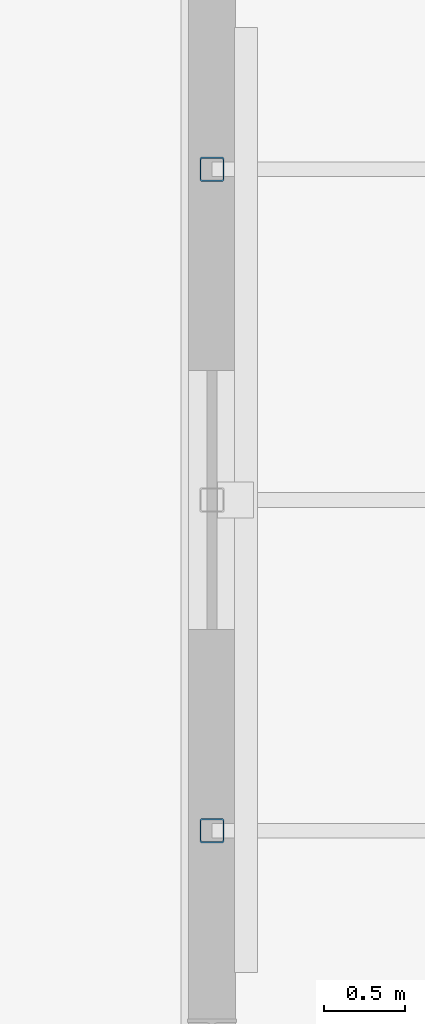
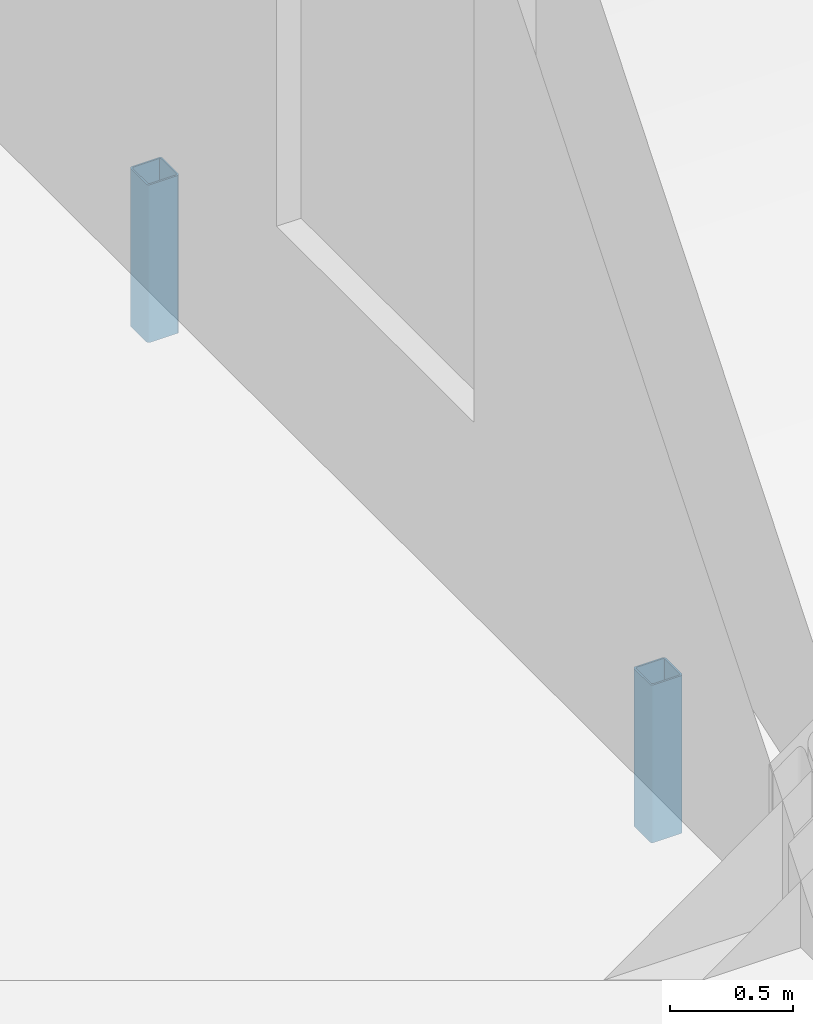
# One storey, part 85 of 113: 2 members.
"""IFC4 building model written with IfcOpenShell, lengths in metres."""

from ifc_helpers import new_model, si_unit, direction, frame, origin, origin_2d, place, context, subcontext, project, spatial, hollow_rectangle, extrude, material, material_profile, profile_set, type_object, element, save


model = new_model("IFC4")

# Units and contexts
model_context = context("Model", 3, precision=1e-05, world=origin(), true_north=direction((0.0, 1.0)))
body_context = subcontext(model_context, "Body", "Model", "MODEL_VIEW")
ifc_project = project(units=[si_unit("LENGTHUNIT", "METRE"), si_unit("AREAUNIT", "SQUARE_METRE"), si_unit("VOLUMEUNIT", "CUBIC_METRE"), si_unit("PLANEANGLEUNIT", "RADIAN"), si_unit("MASSUNIT", "GRAM", prefix="KILO")], contexts=[model_context])

# Site, building, storey
site_placement = place(None, origin())
site = spatial("IfcSite", under=ifc_project, at=site_placement, CompositionType="ELEMENT")
building_placement = place(site_placement, origin())
building = spatial("IfcBuilding", under=site, at=building_placement, Name="Shalkamar Park Central Library", CompositionType="ELEMENT")
storey_placement = place(building_placement, frame((0.0, 0.0, 5.39990234375)))
storey = spatial("IfcBuildingStorey", under=building, at=storey_placement, Name="L02", CompositionType="ELEMENT", Elevation=5.39990234375)

# Members
ifc_material = material(Name="Steel S355", Category="steel")
ifc_material_profile = material_profile(ifc_material, hollow_rectangle(XDim=0.14990234375, YDim=0.14990234375, WallThickness=0.008056640625, InnerFilletRadius=0.008056640625, OuterFilletRadius=0.011962890625, at=origin_2d()), Name="SHS 150x150x8")
ifc_profile_set = profile_set([ifc_material_profile], Name="Steel S355")
member_type = type_object("IfcMemberType", Name="Diagonal Brace SHS150", PredefinedType="BRACE", material=ifc_profile_set)
for number, where, z_axis, x_axis, name in (
    (1, (273.0, 332.56005859375, -0.35986328125), (0.0, 0.0, 1.0), (1.0, 0.0, 0.0), "Vault Arch Post BV-L01-E10-20.1"),
    (2, (273.0, 336.639892578125, -0.35986328125), (0.0, 0.0, 1.0), (1.0, 0.0, 0.0), "Vault Arch Post BV-L01-E10-20.3"),
):
    element("IfcMember", number, at=place(storey_placement, frame(where, z_axis=z_axis, x_axis=x_axis)), inside=storey, type_object=member_type, Name=name, PredefinedType="BRACE", context=body_context, shape_type="SweptSolid", body=[
        extrude(hollow_rectangle(XDim=0.14990234375, YDim=0.14990234375, WallThickness=0.008056640625, InnerFilletRadius=0.008056640625, OuterFilletRadius=0.011962890625, at=origin_2d()), origin(), (0.0, 0.0, 1.0), 0.78076171875),
    ])

save(model, "model.ifc")
